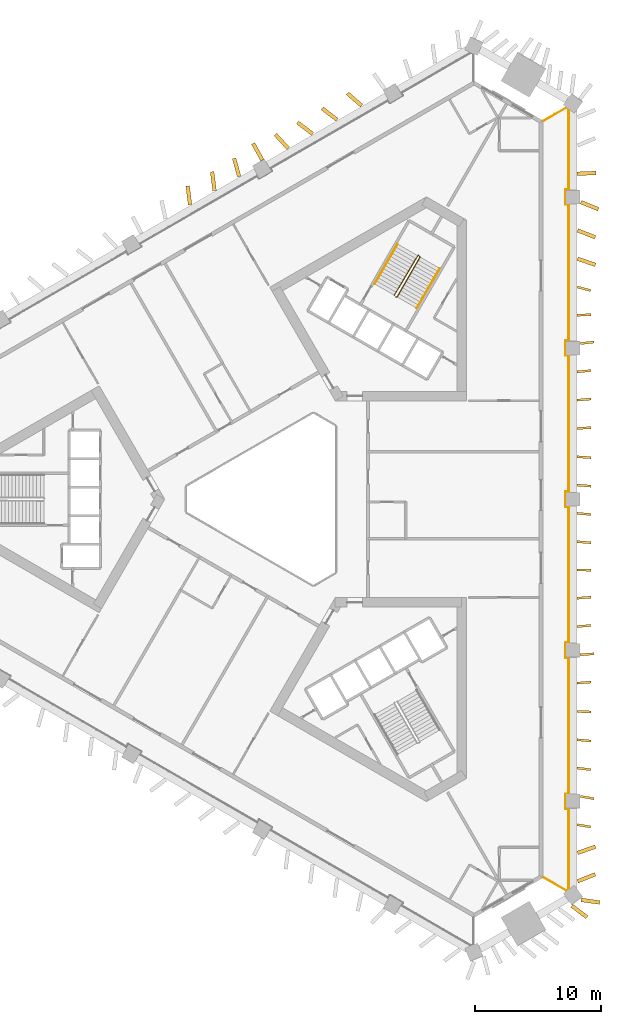
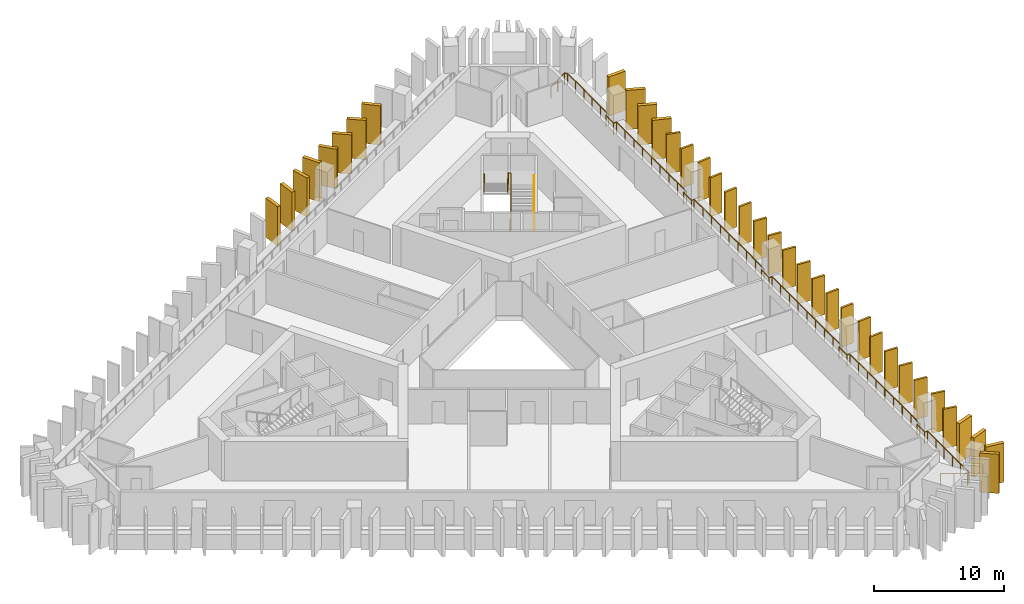
# One storey, part 9 of 10: 36 shading devices, 4 railings.
"""IFC4 building model written with IfcOpenShell, lengths in metres."""

from ifc_helpers import new_model, si_unit, direction, frame, frame_2d, origin, origin_2d, place, context, subcontext, project, spatial, rectangle, circle, extrude, material, layer, layer_set, type_object, element, save


model = new_model("IFC4")

# Units and contexts
model_context = context("Model", 3, precision=1e-05, world=origin(), true_north=direction((0.0, 1.0)))
body_context = subcontext(model_context, "Body", "Model", "MODEL_VIEW")
ifc_project = project(units=[si_unit("LENGTHUNIT", "METRE"), si_unit("AREAUNIT", "SQUARE_METRE"), si_unit("VOLUMEUNIT", "CUBIC_METRE"), si_unit("PLANEANGLEUNIT", "RADIAN"), si_unit("MASSUNIT", "GRAM", prefix="KILO")], contexts=[model_context])

# Site, building, storey
site_placement = place(None, origin())
site = spatial("IfcSite", under=ifc_project, at=site_placement, CompositionType="ELEMENT")
building_placement = place(site_placement, origin())
building = spatial("IfcBuilding", under=site, at=building_placement, Name="Jabali Bay Hotel Tower and Convention Centre", CompositionType="ELEMENT")
storey_placement = place(building_placement, frame((0.0, 0.0, 64.699951171875)))
storey = spatial("IfcBuildingStorey", under=building, at=storey_placement, Name="L14", CompositionType="ELEMENT", Elevation=64.699951171875)

# Railing
ifc_material_1 = material(Name="Glass", Category="glass")
railing_type_1 = type_object("IfcRailingType", Name="Loggia glass guard 1100", PredefinedType="BALUSTRADE", material=ifc_material_1)
railing_1_placement = place(storey_placement, frame((95.99951171875, 109.963134765625, 0.0)))
element("IfcRailing", 1, at=railing_1_placement, inside=storey, type_object=railing_type_1, Name="Loggia glass guard L14", PredefinedType="BALUSTRADE", context=body_context, shape_type="SweptSolid", body=[
    extrude(circle(Radius=0.02490234375, at=origin_2d()), frame((0.0, 0.0, 1.0751953125), z_axis=(0.866027613664, 0.499996172356, 0.0), x_axis=(-0.495718635789, 0.858618627375, 0.13052619222)), (0.0, 0.0, 1.0), 2.1103515625),
    extrude(circle(Radius=0.02490234375, at=origin_2d()), frame((1.82763671875, 1.05517578125, 1.0751953125), z_axis=(0.802448385705, -0.596721533279, 0.0), x_axis=(0.591616497841, 0.795583328525, 0.13052619222)), (0.0, 0.0, 1.0), 0.21484375),
    extrude(circle(Radius=0.02490234375, at=origin_2d()), frame((2.0, 0.927001953125, 1.0751953125), z_axis=(0.0, -1.0, 0.0), x_axis=(0.991444861374, 0.0, 0.13052619222)), (0.0, 0.0, 1.0), 6.35009765625),
    extrude(circle(Radius=0.02490234375, at=origin_2d()), frame((2.0, -5.423095703125, 1.0751953125), z_axis=(-1.0, 0.0, 0.0), x_axis=(0.0, -0.991444861374, 0.13052619222)), (0.0, 0.0, 1.0), 0.25),
    extrude(circle(Radius=0.02490234375, at=origin_2d()), frame((1.75, -5.423095703125, 1.0751953125), z_axis=(0.0, -1.0, 0.0), x_axis=(0.991444861374, 0.0, 0.13052619222)), (0.0, 0.0, 1.0), 1.199951171875),
    extrude(circle(Radius=0.02490234375, at=origin_2d()), frame((1.75, -6.623046875, 1.0751953125), z_axis=(1.0, 0.0, 0.0), x_axis=(0.0, 0.991444861374, 0.13052619222)), (0.0, 0.0, 1.0), 0.25),
    extrude(circle(Radius=0.02490234375, at=origin_2d()), frame((2.0, -6.623046875, 1.0751953125), z_axis=(0.0, -1.0, 0.0), x_axis=(0.991444861374, 0.0, 0.13052619222)), (0.0, 0.0, 1.0), 10.77001953125),
    extrude(circle(Radius=0.02490234375, at=origin_2d()), frame((2.0, -17.39306640625, 1.0751953125), z_axis=(-1.0, 0.0, 0.0), x_axis=(0.0, -0.991444861374, 0.13052619222)), (0.0, 0.0, 1.0), 0.25),
    extrude(circle(Radius=0.02490234375, at=origin_2d()), frame((1.75, -17.39306640625, 1.0751953125), z_axis=(0.0, -1.0, 0.0), x_axis=(0.991444861374, 0.0, 0.13052619222)), (0.0, 0.0, 1.0), 1.2001953125),
    extrude(circle(Radius=0.02490234375, at=origin_2d()), frame((1.75, -18.59326171875, 1.0751953125), z_axis=(1.0, 0.0, 0.0), x_axis=(0.0, 0.991444861374, 0.13052619222)), (0.0, 0.0, 1.0), 0.25),
    extrude(circle(Radius=0.02490234375, at=origin_2d()), frame((2.0, -18.59326171875, 1.0751953125), z_axis=(0.0, -1.0, 0.0), x_axis=(0.991444861374, 0.0, 0.13052619222)), (0.0, 0.0, 1.0), 10.769775390625),
    extrude(circle(Radius=0.02490234375, at=origin_2d()), frame((2.0, -29.363037109375, 1.0751953125), z_axis=(-1.0, 0.0, 0.0), x_axis=(0.0, -0.991444861374, 0.13052619222)), (0.0, 0.0, 1.0), 0.25),
    extrude(circle(Radius=0.02490234375, at=origin_2d()), frame((1.75, -29.363037109375, 1.0751953125), z_axis=(0.0, -1.0, 0.0), x_axis=(0.991444861374, 0.0, 0.13052619222)), (0.0, 0.0, 1.0), 1.2001953125),
    extrude(circle(Radius=0.02490234375, at=origin_2d()), frame((1.75, -30.563232421875, 1.0751953125), z_axis=(1.0, 0.0, 0.0), x_axis=(0.0, 0.991444861374, 0.13052619222)), (0.0, 0.0, 1.0), 0.25),
    extrude(circle(Radius=0.02490234375, at=origin_2d()), frame((2.0, -30.563232421875, 1.0751953125), z_axis=(0.0, -1.0, 0.0), x_axis=(0.991444861374, 0.0, 0.13052619222)), (0.0, 0.0, 1.0), 10.769775390625),
    extrude(circle(Radius=0.02490234375, at=origin_2d()), frame((2.0, -41.3330078125, 1.0751953125), z_axis=(-1.0, 0.0, 0.0), x_axis=(0.0, -0.991444861374, 0.13052619222)), (0.0, 0.0, 1.0), 0.25),
    extrude(circle(Radius=0.02490234375, at=origin_2d()), frame((1.75, -41.3330078125, 1.0751953125), z_axis=(0.0, -1.0, 0.0), x_axis=(0.991444861374, 0.0, 0.13052619222)), (0.0, 0.0, 1.0), 1.2001953125),
    extrude(circle(Radius=0.02490234375, at=origin_2d()), frame((1.75, -42.533203125, 1.0751953125), z_axis=(1.0, 0.0, 0.0), x_axis=(0.0, 0.991444861374, 0.13052619222)), (0.0, 0.0, 1.0), 0.25),
    extrude(circle(Radius=0.02490234375, at=origin_2d()), frame((2.0, -42.533203125, 1.0751953125), z_axis=(0.0, -1.0, 0.0), x_axis=(0.991444861374, 0.0, 0.13052619222)), (0.0, 0.0, 1.0), 10.77001953125),
    extrude(circle(Radius=0.02490234375, at=origin_2d()), frame((2.0, -53.30322265625, 1.0751953125), z_axis=(-1.0, 0.0, 0.0), x_axis=(0.0, -0.991444861374, 0.13052619222)), (0.0, 0.0, 1.0), 0.25),
    extrude(circle(Radius=0.02490234375, at=origin_2d()), frame((1.75, -53.30322265625, 1.0751953125), z_axis=(0.0, -1.0, 0.0), x_axis=(0.991444861374, 0.0, 0.13052619222)), (0.0, 0.0, 1.0), 1.199951171875),
    extrude(circle(Radius=0.02490234375, at=origin_2d()), frame((1.75, -54.503173828125, 1.0751953125), z_axis=(1.0, 0.0, 0.0), x_axis=(0.0, 0.991444861374, 0.13052619222)), (0.0, 0.0, 1.0), 0.25),
    extrude(circle(Radius=0.02490234375, at=origin_2d()), frame((2.0, -54.503173828125, 1.0751953125), z_axis=(0.0, -1.0, 0.0), x_axis=(0.991444861374, 0.0, 0.13052619222)), (0.0, 0.0, 1.0), 6.35009765625),
    extrude(circle(Radius=0.02490234375, at=origin_2d()), frame((2.0, -60.853271484375, 1.0751953125), z_axis=(-0.802448385705, -0.596721533279, 0.0), x_axis=(0.591616497841, -0.795583328525, 0.13052619222)), (0.0, 0.0, 1.0), 0.21484375),
    extrude(circle(Radius=0.02490234375, at=origin_2d()), frame((1.82763671875, -60.9814453125, 1.0751953125), z_axis=(-0.866027613664, 0.499996172356, 0.0), x_axis=(-0.495718635789, -0.858618627375, 0.13052619222)), (0.0, 0.0, 1.0), 2.1103515625),
    extrude(circle(Radius=0.02001953125, at=origin_2d()), origin(), (0.0, 0.0, 1.0), 1.050048828125),
    extrude(circle(Radius=0.02001953125, at=origin_2d()), frame((0.913818359375, 0.527587890625, 0.0)), (0.0, 0.0, 1.0), 1.050048828125),
    extrude(circle(Radius=0.02001953125, at=origin_2d()), frame((1.82763671875, 1.05517578125, 0.0)), (0.0, 0.0, 1.0), 1.050048828125),
    extrude(circle(Radius=0.02001953125, at=origin_2d()), frame((2.0, 0.927001953125, 0.0)), (0.0, 0.0, 1.0), 1.050048828125),
    extrude(circle(Radius=0.02001953125, at=origin_2d()), frame((2.0, -0.343017578125, 0.0)), (0.0, 0.0, 1.0), 1.050048828125),
    extrude(circle(Radius=0.02001953125, at=origin_2d()), frame((2.0, -1.613037109375, 0.0)), (0.0, 0.0, 1.0), 1.050048828125),
    extrude(circle(Radius=0.02001953125, at=origin_2d()), frame((2.0, -2.883056640625, 0.0)), (0.0, 0.0, 1.0), 1.050048828125),
    extrude(circle(Radius=0.02001953125, at=origin_2d()), frame((2.0, -4.153076171875, 0.0)), (0.0, 0.0, 1.0), 1.050048828125),
    extrude(circle(Radius=0.02001953125, at=origin_2d()), frame((2.0, -5.423095703125, 0.0)), (0.0, 0.0, 1.0), 1.050048828125),
    extrude(circle(Radius=0.02001953125, at=origin_2d()), frame((1.75, -5.423095703125, 0.0)), (0.0, 0.0, 1.0), 1.050048828125),
    extrude(circle(Radius=0.02001953125, at=origin_2d()), frame((1.75, -6.623046875, 0.0)), (0.0, 0.0, 1.0), 1.050048828125),
    extrude(circle(Radius=0.02001953125, at=origin_2d()), frame((2.0, -6.623046875, 0.0)), (0.0, 0.0, 1.0), 1.050048828125),
    extrude(circle(Radius=0.02001953125, at=origin_2d()), frame((2.0, -7.96923828125, 0.0)), (0.0, 0.0, 1.0), 1.050048828125),
    extrude(circle(Radius=0.02001953125, at=origin_2d()), frame((2.0, -9.3154296875, 0.0)), (0.0, 0.0, 1.0), 1.050048828125),
    extrude(circle(Radius=0.02001953125, at=origin_2d()), frame((2.0, -10.661865234375, 0.0)), (0.0, 0.0, 1.0), 1.050048828125),
    extrude(circle(Radius=0.02001953125, at=origin_2d()), frame((2.0, -12.008056640625, 0.0)), (0.0, 0.0, 1.0), 1.050048828125),
    extrude(circle(Radius=0.02001953125, at=origin_2d()), frame((2.0, -13.354248046875, 0.0)), (0.0, 0.0, 1.0), 1.050048828125),
    extrude(circle(Radius=0.02001953125, at=origin_2d()), frame((2.0, -14.70068359375, 0.0)), (0.0, 0.0, 1.0), 1.050048828125),
    extrude(circle(Radius=0.02001953125, at=origin_2d()), frame((2.0, -16.046875, 0.0)), (0.0, 0.0, 1.0), 1.050048828125),
    extrude(circle(Radius=0.02001953125, at=origin_2d()), frame((2.0, -17.39306640625, 0.0)), (0.0, 0.0, 1.0), 1.050048828125),
    extrude(circle(Radius=0.02001953125, at=origin_2d()), frame((1.75, -17.39306640625, 0.0)), (0.0, 0.0, 1.0), 1.050048828125),
    extrude(circle(Radius=0.02001953125, at=origin_2d()), frame((1.75, -18.59326171875, 0.0)), (0.0, 0.0, 1.0), 1.050048828125),
    extrude(circle(Radius=0.02001953125, at=origin_2d()), frame((2.0, -18.59326171875, 0.0)), (0.0, 0.0, 1.0), 1.050048828125),
    extrude(circle(Radius=0.02001953125, at=origin_2d()), frame((2.0, -19.939453125, 0.0)), (0.0, 0.0, 1.0), 1.050048828125),
    extrude(circle(Radius=0.02001953125, at=origin_2d()), frame((2.0, -21.28564453125, 0.0)), (0.0, 0.0, 1.0), 1.050048828125),
    extrude(circle(Radius=0.02001953125, at=origin_2d()), frame((2.0, -22.6318359375, 0.0)), (0.0, 0.0, 1.0), 1.050048828125),
    extrude(circle(Radius=0.02001953125, at=origin_2d()), frame((2.0, -23.97802734375, 0.0)), (0.0, 0.0, 1.0), 1.050048828125),
    extrude(circle(Radius=0.02001953125, at=origin_2d()), frame((2.0, -25.324462890625, 0.0)), (0.0, 0.0, 1.0), 1.050048828125),
    extrude(circle(Radius=0.02001953125, at=origin_2d()), frame((2.0, -26.670654296875, 0.0)), (0.0, 0.0, 1.0), 1.050048828125),
    extrude(circle(Radius=0.02001953125, at=origin_2d()), frame((2.0, -28.016845703125, 0.0)), (0.0, 0.0, 1.0), 1.050048828125),
    extrude(circle(Radius=0.02001953125, at=origin_2d()), frame((2.0, -29.363037109375, 0.0)), (0.0, 0.0, 1.0), 1.050048828125),
    extrude(circle(Radius=0.02001953125, at=origin_2d()), frame((1.75, -29.363037109375, 0.0)), (0.0, 0.0, 1.0), 1.050048828125),
    extrude(circle(Radius=0.02001953125, at=origin_2d()), frame((1.75, -30.563232421875, 0.0)), (0.0, 0.0, 1.0), 1.050048828125),
    extrude(circle(Radius=0.02001953125, at=origin_2d()), frame((2.0, -30.563232421875, 0.0)), (0.0, 0.0, 1.0), 1.050048828125),
    extrude(circle(Radius=0.02001953125, at=origin_2d()), frame((2.0, -31.909423828125, 0.0)), (0.0, 0.0, 1.0), 1.050048828125),
    extrude(circle(Radius=0.02001953125, at=origin_2d()), frame((2.0, -33.255615234375, 0.0)), (0.0, 0.0, 1.0), 1.050048828125),
    extrude(circle(Radius=0.02001953125, at=origin_2d()), frame((2.0, -34.601806640625, 0.0)), (0.0, 0.0, 1.0), 1.050048828125),
    extrude(circle(Radius=0.02001953125, at=origin_2d()), frame((2.0, -35.9482421875, 0.0)), (0.0, 0.0, 1.0), 1.050048828125),
    extrude(circle(Radius=0.02001953125, at=origin_2d()), frame((2.0, -37.29443359375, 0.0)), (0.0, 0.0, 1.0), 1.050048828125),
    extrude(circle(Radius=0.02001953125, at=origin_2d()), frame((2.0, -38.640625, 0.0)), (0.0, 0.0, 1.0), 1.050048828125),
    extrude(circle(Radius=0.02001953125, at=origin_2d()), frame((2.0, -39.98681640625, 0.0)), (0.0, 0.0, 1.0), 1.050048828125),
    extrude(circle(Radius=0.02001953125, at=origin_2d()), frame((2.0, -41.3330078125, 0.0)), (0.0, 0.0, 1.0), 1.050048828125),
    extrude(circle(Radius=0.02001953125, at=origin_2d()), frame((1.75, -41.3330078125, 0.0)), (0.0, 0.0, 1.0), 1.050048828125),
    extrude(circle(Radius=0.02001953125, at=origin_2d()), frame((1.75, -42.533203125, 0.0)), (0.0, 0.0, 1.0), 1.050048828125),
    extrude(circle(Radius=0.02001953125, at=origin_2d()), frame((2.0, -42.533203125, 0.0)), (0.0, 0.0, 1.0), 1.050048828125),
    extrude(circle(Radius=0.02001953125, at=origin_2d()), frame((2.0, -43.87939453125, 0.0)), (0.0, 0.0, 1.0), 1.050048828125),
    extrude(circle(Radius=0.02001953125, at=origin_2d()), frame((2.0, -45.2255859375, 0.0)), (0.0, 0.0, 1.0), 1.050048828125),
    extrude(circle(Radius=0.02001953125, at=origin_2d()), frame((2.0, -46.572021484375, 0.0)), (0.0, 0.0, 1.0), 1.050048828125),
    extrude(circle(Radius=0.02001953125, at=origin_2d()), frame((2.0, -47.918212890625, 0.0)), (0.0, 0.0, 1.0), 1.050048828125),
    extrude(circle(Radius=0.02001953125, at=origin_2d()), frame((2.0, -49.264404296875, 0.0)), (0.0, 0.0, 1.0), 1.050048828125),
    extrude(circle(Radius=0.02001953125, at=origin_2d()), frame((2.0, -50.61083984375, 0.0)), (0.0, 0.0, 1.0), 1.050048828125),
    extrude(circle(Radius=0.02001953125, at=origin_2d()), frame((2.0, -51.95703125, 0.0)), (0.0, 0.0, 1.0), 1.050048828125),
    extrude(circle(Radius=0.02001953125, at=origin_2d()), frame((2.0, -53.30322265625, 0.0)), (0.0, 0.0, 1.0), 1.050048828125),
    extrude(circle(Radius=0.02001953125, at=origin_2d()), frame((1.75, -53.30322265625, 0.0)), (0.0, 0.0, 1.0), 1.050048828125),
    extrude(circle(Radius=0.02001953125, at=origin_2d()), frame((1.75, -54.503173828125, 0.0)), (0.0, 0.0, 1.0), 1.050048828125),
    extrude(circle(Radius=0.02001953125, at=origin_2d()), frame((2.0, -54.503173828125, 0.0)), (0.0, 0.0, 1.0), 1.050048828125),
    extrude(circle(Radius=0.02001953125, at=origin_2d()), frame((2.0, -55.773193359375, 0.0)), (0.0, 0.0, 1.0), 1.050048828125),
    extrude(circle(Radius=0.02001953125, at=origin_2d()), frame((2.0, -57.043212890625, 0.0)), (0.0, 0.0, 1.0), 1.050048828125),
    extrude(circle(Radius=0.02001953125, at=origin_2d()), frame((2.0, -58.313232421875, 0.0)), (0.0, 0.0, 1.0), 1.050048828125),
    extrude(circle(Radius=0.02001953125, at=origin_2d()), frame((2.0, -59.583251953125, 0.0)), (0.0, 0.0, 1.0), 1.050048828125),
    extrude(circle(Radius=0.02001953125, at=origin_2d()), frame((2.0, -60.853271484375, 0.0)), (0.0, 0.0, 1.0), 1.050048828125),
    extrude(circle(Radius=0.02001953125, at=origin_2d()), frame((1.82763671875, -60.9814453125, 0.0)), (0.0, 0.0, 1.0), 1.050048828125),
    extrude(circle(Radius=0.02001953125, at=origin_2d()), frame((0.913818359375, -60.453857421875, 0.0)), (0.0, 0.0, 1.0), 1.050048828125),
    extrude(circle(Radius=0.02001953125, at=origin_2d()), frame((0.0, -59.92626953125, 0.0)), (0.0, 0.0, 1.0), 1.050048828125),
])

# Shading devices
ifc_material_2 = material(Name="Precast concrete C60", Category="concrete")
ifc_layer_1 = layer(ifc_material_2, 0.179931640625)
ifc_layer_set_1 = layer_set([ifc_layer_1], Name="Precast concrete C60")
shading_device_type_1 = type_object("IfcShadingDeviceType", Name="Precast fin 3680 x 1100", PredefinedType="USERDEFINED", material=ifc_layer_set_1)
shading_device_1_placement = place(storey_placement, frame((98.65673828125, 54.2255859375, 0.010009765625), z_axis=(0.0, 0.0, 1.0), x_axis=(0.986237532294, -0.165334599811, 0.0)))
element("IfcShadingDevice", 2, at=shading_device_1_placement, inside=storey, type_object=shading_device_type_1, Name="Fin L14 002", ObjectType="FIN", PredefinedType="USERDEFINED", context=body_context, shape_type="SweptSolid", body=[
    extrude(rectangle(XDim=1.10009765625, YDim=0.179931640625, at=frame_2d((0.550048828125, 0.0))), origin(), (0.0, 0.0, 1.0), 3.679931640625),
])
shading_device_2_placement = place(storey_placement, frame((98.91455078125, 56.466796875, 0.010009765625), z_axis=(0.0, 0.0, 1.0), x_axis=(0.985744507475, -0.168249118817, 0.0)))
element("IfcShadingDevice", 3, at=shading_device_2_placement, inside=storey, type_object=shading_device_type_1, Name="Fin L14 003", ObjectType="FIN", PredefinedType="USERDEFINED", context=body_context, shape_type="SweptSolid", body=[
    extrude(rectangle(XDim=1.099853515625, YDim=0.179931640625, at=frame_2d((0.5498046875, 0.0))), origin(), (0.0, 0.0, 1.0), 3.679931640625),
])
shading_device_3_placement = place(storey_placement, frame((98.652099609375, 58.7080078125, 0.010009765625), z_axis=(0.0, 0.0, 1.0), x_axis=(0.993395320982, -0.114742042214, 0.0)))
element("IfcShadingDevice", 4, at=shading_device_3_placement, inside=storey, type_object=shading_device_type_1, Name="Fin L14 004", ObjectType="FIN", PredefinedType="USERDEFINED", context=body_context, shape_type="SweptSolid", body=[
    extrude(rectangle(XDim=1.10009765625, YDim=0.179931640625, at=frame_2d((0.550048828125, 0.0))), origin(), (0.0, 0.0, 1.0), 3.679931640625),
])
shading_device_4_placement = place(storey_placement, frame((98.650146484375, 60.949462890625, 0.010009765625), z_axis=(0.0, 0.0, 1.0), x_axis=(0.995686922916, -0.092776891168, 0.0)))
element("IfcShadingDevice", 5, at=shading_device_4_placement, inside=storey, type_object=shading_device_type_1, Name="Fin L14 005", ObjectType="FIN", PredefinedType="USERDEFINED", context=body_context, shape_type="SweptSolid", body=[
    extrude(rectangle(XDim=1.099853515625, YDim=0.179931640625, at=frame_2d((0.5498046875, 0.0))), origin(), (0.0, 0.0, 1.0), 3.679931640625),
])
for number, where, z_axis, x_axis, name in (
    (6, (98.64501953125, 63.190673828125, 0.010009765625), (0.0, 0.0, 1.0), (0.99936934029, -0.035509459126, 0.0), "Fin L14 006"),
    (7, (98.649169921875, 65.431884765625, 0.010009765625), (0.0, 0.0, 1.0), (0.996677633873, 0.081447493127, 0.0), "Fin L14 007"),
):
    element("IfcShadingDevice", number, at=place(storey_placement, frame(where, z_axis=z_axis, x_axis=x_axis)), inside=storey, type_object=shading_device_type_1, Name=name, ObjectType="FIN", PredefinedType="USERDEFINED", context=body_context, shape_type="SweptSolid", body=[
        extrude(rectangle(XDim=1.10009765625, YDim=0.179931640625, at=frame_2d((0.550048828125, 0.0))), origin(), (0.0, 0.0, 1.0), 3.679931640625),
    ])
shading_device_5_placement = place(storey_placement, frame((98.906494140625, 67.673095703125, 0.010009765625), z_axis=(0.0, 0.0, 1.0), x_axis=(0.99678486003, 0.08012454564, 0.0)))
element("IfcShadingDevice", 8, at=shading_device_5_placement, inside=storey, type_object=shading_device_type_1, Name="Fin L14 008", ObjectType="FIN", PredefinedType="USERDEFINED", context=body_context, shape_type="SweptSolid", body=[
    extrude(rectangle(XDim=1.099853515625, YDim=0.179931640625, at=frame_2d((0.5498046875, 0.0))), origin(), (0.0, 0.0, 1.0), 3.679931640625),
])
for number, where, z_axis, x_axis, name in (
    (9, (98.64892578125, 69.914306640625, 0.010009765625), (0.0, 0.0, 1.0), (0.996821625753, 0.079665842308, 0.0), "Fin L14 009"),
    (10, (98.64892578125, 72.155517578125, 0.010009765625), (0.0, 0.0, 1.0), (0.996839224167, 0.079445334428, 0.0), "Fin L14 010"),
    (11, (98.643310546875, 74.39697265625, 0.010009765625), (0.0, 0.0, 1.0), (0.999865117385, -0.016423977511, 0.0), "Fin L14 011"),
    (12, (98.64892578125, 76.63818359375, 0.010009765625), (0.0, 0.0, 1.0), (0.996839224167, -0.079445334428, 0.0), "Fin L14 012"),
    (13, (98.64892578125, 78.87939453125, 0.010009765625), (0.0, 0.0, 1.0), (0.996839224167, -0.079445334428, 0.0), "Fin L14 013"),
    (14, (98.64892578125, 81.12060546875, 0.010009765625), (0.0, 0.0, 1.0), (0.996821625753, -0.079665842308, 0.0), "Fin L14 014"),
):
    element("IfcShadingDevice", number, at=place(storey_placement, frame(where, z_axis=z_axis, x_axis=x_axis)), inside=storey, type_object=shading_device_type_1, Name=name, ObjectType="FIN", PredefinedType="USERDEFINED", context=body_context, shape_type="SweptSolid", body=[
        extrude(rectangle(XDim=1.10009765625, YDim=0.179931640625, at=frame_2d((0.550048828125, 0.0))), origin(), (0.0, 0.0, 1.0), 3.679931640625),
    ])
shading_device_6_placement = place(storey_placement, frame((98.647705078125, 83.36181640625, 0.010009765625), z_axis=(0.0, 0.0, 1.0), x_axis=(0.997897616982, -0.064810076548, 0.0)))
element("IfcShadingDevice", 15, at=shading_device_6_placement, inside=storey, type_object=shading_device_type_1, Name="Fin L14 015", ObjectType="FIN", PredefinedType="USERDEFINED", context=body_context, shape_type="SweptSolid", body=[
    extrude(rectangle(XDim=1.099853515625, YDim=0.179931640625, at=frame_2d((0.5498046875, 0.0))), origin(), (0.0, 0.0, 1.0), 3.679931640625),
])
for number, where, z_axis, x_axis, name in (
    (16, (98.647216796875, 85.60302734375, 0.010009765625), (0.0, 0.0, 1.0), (0.998203253009, 0.05991882577, 0.0), "Fin L14 016"),
    (17, (98.6494140625, 87.844482421875, 0.010009765625), (0.0, 0.0, 1.0), (0.996456417722, 0.084110686485, 0.0), "Fin L14 017"),
):
    element("IfcShadingDevice", number, at=place(storey_placement, frame(where, z_axis=z_axis, x_axis=x_axis)), inside=storey, type_object=shading_device_type_1, Name=name, ObjectType="FIN", PredefinedType="USERDEFINED", context=body_context, shape_type="SweptSolid", body=[
        extrude(rectangle(XDim=1.10009765625, YDim=0.179931640625, at=frame_2d((0.550048828125, 0.0))), origin(), (0.0, 0.0, 1.0), 3.679931640625),
    ])
shading_device_7_placement = place(storey_placement, frame((98.650146484375, 90.085693359375, 0.010009765625), z_axis=(0.0, 0.0, 1.0), x_axis=(0.995748218083, 0.09211669873, 0.0)))
element("IfcShadingDevice", 18, at=shading_device_7_placement, inside=storey, type_object=shading_device_type_1, Name="Fin L14 018", ObjectType="FIN", PredefinedType="USERDEFINED", context=body_context, shape_type="SweptSolid", body=[
    extrude(rectangle(XDim=1.099853515625, YDim=0.179931640625, at=frame_2d((0.5498046875, 0.0))), origin(), (0.0, 0.0, 1.0), 3.679931640625),
])
shading_device_8_placement = place(storey_placement, frame((98.909423828125, 92.326904296875, 0.010009765625), z_axis=(0.0, 0.0, 1.0), x_axis=(0.99352408639, 0.11362169583, 0.0)))
element("IfcShadingDevice", 19, at=shading_device_8_placement, inside=storey, type_object=shading_device_type_1, Name="Fin L14 019", ObjectType="FIN", PredefinedType="USERDEFINED", context=body_context, shape_type="SweptSolid", body=[
    extrude(rectangle(XDim=1.10009765625, YDim=0.179931640625, at=frame_2d((0.550048828125, 0.0))), origin(), (0.0, 0.0, 1.0), 3.679931640625),
])
shading_device_9_placement = place(storey_placement, frame((98.64599609375, 94.568115234375, 0.010009765625), z_axis=(0.0, 0.0, 1.0), x_axis=(0.99900437653, 0.044612281645, 0.0)))
element("IfcShadingDevice", 20, at=shading_device_9_placement, inside=storey, type_object=shading_device_type_1, Name="Fin L14 020", ObjectType="FIN", PredefinedType="USERDEFINED", context=body_context, shape_type="SweptSolid", body=[
    extrude(rectangle(XDim=1.099853515625, YDim=0.179931640625, at=frame_2d((0.5498046875, 0.0))), origin(), (0.0, 0.0, 1.0), 3.679931640625),
])
shading_device_10_placement = place(storey_placement, frame((98.66455078125, 96.809326171875, 0.010009765625), z_axis=(0.0, 0.0, 1.0), x_axis=(0.967352795108, -0.253433560912, 0.0)))
element("IfcShadingDevice", 21, at=shading_device_10_placement, inside=storey, type_object=shading_device_type_1, Name="Fin L14 021", ObjectType="FIN", PredefinedType="USERDEFINED", context=body_context, shape_type="SweptSolid", body=[
    extrude(rectangle(XDim=1.10009765625, YDim=0.179931640625, at=frame_2d((0.550048828125, 0.0))), origin(), (0.0, 0.0, 1.0), 3.679931640625),
])
ifc_layer_2 = layer(ifc_material_2, 0.300048828125)
ifc_layer_set_2 = layer_set([ifc_layer_2], Name="Precast concrete C60")
shading_device_type_2 = type_object("IfcShadingDeviceType", Name="Precast fin 3680 x 1500", PredefinedType="USERDEFINED", material=ifc_layer_set_2)
shading_device_11_placement = place(storey_placement, frame((98.697021484375, 49.7431640625, 0.010009765625), z_axis=(0.0, 0.0, 1.0), x_axis=(0.929695171813, 0.368329862362, 0.0)))
element("IfcShadingDevice", 22, at=shading_device_11_placement, inside=storey, type_object=shading_device_type_2, Name="Fin L14 000", ObjectType="FIN", PredefinedType="USERDEFINED", context=body_context, shape_type="SweptSolid", body=[
    extrude(rectangle(XDim=1.5, YDim=0.300048828125, at=frame_2d((0.75, 0.0))), origin(), (0.0, 0.0, 1.0), 3.679931640625),
])
shading_device_12_placement = place(storey_placement, frame((98.691650390625, 51.984375, 0.010009765625), z_axis=(0.0, 0.0, 1.0), x_axis=(0.943482152247, 0.331423337125, 0.0)))
element("IfcShadingDevice", 23, at=shading_device_12_placement, inside=storey, type_object=shading_device_type_2, Name="Fin L14 001", ObjectType="FIN", PredefinedType="USERDEFINED", context=body_context, shape_type="SweptSolid", body=[
    extrude(rectangle(XDim=1.499755859375, YDim=0.300048828125, at=frame_2d((0.75, 0.0))), origin(), (0.0, 0.0, 1.0), 3.679931640625),
])
for number, where, z_axis, x_axis, name in (
    (24, (98.69140625, 99.050537109375, 0.010009765625), (0.0, 0.0, 1.0), (0.943619604928, -0.331031782757, 0.0), "Fin L14 022"),
    (25, (98.697021484375, 101.2919921875, 0.010009765625), (0.0, 0.0, 1.0), (0.92988434152, -0.367852023776, 0.0), "Fin L14 023"),
    (26, (98.956298828125, 103.533203125, 0.010009765625), (0.0, 0.0, 1.0), (0.925105591451, -0.379709948074, 0.0), "Fin L14 024"),
    (27, (98.6484375, 105.7744140625, 0.010009765625), (0.0, 0.0, 1.0), (0.999055236816, 0.043458414505, 0.0), "Fin L14 025"),
):
    element("IfcShadingDevice", number, at=place(storey_placement, frame(where, z_axis=z_axis, x_axis=x_axis)), inside=storey, type_object=shading_device_type_2, Name=name, ObjectType="FIN", PredefinedType="USERDEFINED", context=body_context, shape_type="SweptSolid", body=[
        extrude(rectangle(XDim=1.5, YDim=0.300048828125, at=frame_2d((0.75, 0.0))), origin(), (0.0, 0.0, 1.0), 3.679931640625),
    ])
shading_device_13_placement = place(storey_placement, frame((81.59423828125, 111.162353515625, 0.010009765625), z_axis=(0.0, 0.0, 1.0), x_axis=(-0.752506106789, 0.658585271051, 0.0)))
element("IfcShadingDevice", 28, at=shading_device_13_placement, inside=storey, type_object=shading_device_type_2, Name="Fin L14 041", ObjectType="FIN", PredefinedType="USERDEFINED", context=body_context, shape_type="SweptSolid", body=[
    extrude(rectangle(XDim=1.499755859375, YDim=0.300048828125, at=frame_2d((0.75, 0.0))), origin(), (0.0, 0.0, 1.0), 3.679931640625),
])
shading_device_14_placement = place(storey_placement, frame((79.648681640625, 110.0498046875, 0.010009765625), z_axis=(0.0, 0.0, 1.0), x_axis=(-0.794616478363, 0.607111729679, 0.0)))
element("IfcShadingDevice", 29, at=shading_device_14_placement, inside=storey, type_object=shading_device_type_2, Name="Fin L14 042", ObjectType="FIN", PredefinedType="USERDEFINED", context=body_context, shape_type="SweptSolid", body=[
    extrude(rectangle(XDim=1.5, YDim=0.300048828125, at=frame_2d((0.75, 0.0))), origin(), (0.0, 0.0, 1.0), 3.679931640625),
])
shading_device_15_placement = place(storey_placement, frame((77.70751953125, 108.92919921875, 0.010009765625), z_axis=(0.0, 0.0, 1.0), x_axis=(-0.794556474212, 0.6071902579, 0.0)))
element("IfcShadingDevice", 30, at=shading_device_15_placement, inside=storey, type_object=shading_device_type_2, Name="Fin L14 043", ObjectType="FIN", PredefinedType="USERDEFINED", context=body_context, shape_type="SweptSolid", body=[
    extrude(rectangle(XDim=1.499755859375, YDim=0.300048828125, at=frame_2d((0.75, 0.0))), origin(), (0.0, 0.0, 1.0), 3.679931640625),
])
for number, where, z_axis, x_axis, name in (
    (31, (75.77880859375, 107.787353515625, 0.010009765625), (0.0, 0.0, 1.0), (-0.679826587664, 0.733372900171, 0.0), "Fin L14 044"),
    (32, (73.724609375, 106.863037109375, 0.010009765625), (0.0, 0.0, 1.0), (-0.485338885575, 0.874326121163, 0.0), "Fin L14 045"),
    (33, (71.894775390625, 105.5498046875, 0.010009765625), (0.0, 0.0, 1.0), (-0.267920889715, 0.963440915082, 0.0), "Fin L14 046"),
    (34, (69.943603515625, 104.446533203125, 0.010009765625), (0.0, 0.0, 1.0), (-0.128580707026, 0.991699047988, 0.0), "Fin L14 047"),
    (35, (68.002685546875, 103.325927734375, 0.010009765625), (0.0, 0.0, 1.0), (-0.128580707026, 0.991699047988, 0.0), "Fin L14 048"),
    (36, (98.240234375, 47.8046875, 0.010009765625), (0.0, 0.0, 1.0), (0.794477939917, -0.607293012462, 0.0), "Fin L14 110"),
    (37, (98.96875, 48.264892578125, 0.010009765625), (0.0, 0.0, 1.0), (0.990473164615, -0.13770588287, 0.0), "Fin L14 111"),
):
    element("IfcShadingDevice", number, at=place(storey_placement, frame(where, z_axis=z_axis, x_axis=x_axis)), inside=storey, type_object=shading_device_type_2, Name=name, ObjectType="FIN", PredefinedType="USERDEFINED", context=body_context, shape_type="SweptSolid", body=[
        extrude(rectangle(XDim=1.5, YDim=0.300048828125, at=frame_2d((0.75, 0.0))), origin(), (0.0, 0.0, 1.0), 3.679931640625),
    ])

# Railings
ifc_material_3 = material(Name="Steel Q355B", Category="steel")
railing_type_2 = type_object("IfcRailingType", Name="Stair guard 1100", PredefinedType="GUARDRAIL", material=ifc_material_3)
railing_2_placement = place(storey_placement, frame((84.329833984375, 96.010009765625, 0.0)))
element("IfcRailing", 38, at=railing_2_placement, inside=storey, type_object=railing_type_2, Name="L14 ST2 stair guard 1", PredefinedType="GUARDRAIL", context=body_context, shape_type="SweptSolid", body=[
    extrude(circle(Radius=0.02392578125, at=origin_2d()), frame((0.0, 0.0, 1.076171875), z_axis=(0.456201556387, 0.122196845461, 0.881446578591), x_axis=(-0.258736085224, 0.965948051503, 0.0)), (0.0, 0.0, 1.0), 0.14990234375),
    extrude(circle(Radius=0.02392578125, at=origin_2d()), frame((0.068359375, 0.018310546875, 1.2080078125), z_axis=(0.45217862506, 0.783169739339, 0.426825081763), x_axis=(-0.866018046521, 0.500012742938, 0.0)), (0.0, 0.0, 1.0), 4.025146484375),
    extrude(circle(Radius=0.02392578125, at=origin_2d()), frame((1.888427734375, 3.170654296875, 2.92626953125), z_axis=(-0.718850276695, 0.695164929852, 0.0), x_axis=(-0.695164929852, -0.718850276695, 0.0)), (0.0, 0.0, 1.0), 0.2060546875),
    extrude(circle(Radius=0.02392578125, at=origin_2d()), frame((1.740234375, 3.31396484375, 2.92626953125), z_axis=(-0.457457462341, -0.768067235091, 0.448113147015), x_axis=(0.859157857954, -0.511710636118, 0.0)), (0.0, 0.0, 1.0), 4.128173828125),
    extrude(circle(Radius=0.02099609375, at=origin_2d()), origin(), (0.0, 0.0, 1.0), 1.052001953125),
    extrude(circle(Radius=0.02099609375, at=origin_2d()), frame((0.068359375, 0.018310546875, 0.132080078125)), (0.0, 0.0, 1.0), 1.052001953125),
    extrude(circle(Radius=0.02099609375, at=origin_2d()), frame((0.5234375, 0.806396484375, 0.5615234375)), (0.0, 0.0, 1.0), 1.052001953125),
    extrude(circle(Radius=0.02099609375, at=origin_2d()), frame((0.978515625, 1.594482421875, 0.9912109375)), (0.0, 0.0, 1.0), 1.052001953125),
    extrude(circle(Radius=0.02099609375, at=origin_2d()), frame((1.433349609375, 2.382568359375, 1.420654296875)), (0.0, 0.0, 1.0), 1.052001953125),
    extrude(circle(Radius=0.02099609375, at=origin_2d()), frame((1.888427734375, 3.170654296875, 1.85009765625)), (0.0, 0.0, 1.0), 1.052001953125),
    extrude(circle(Radius=0.02099609375, at=origin_2d()), frame((1.740234375, 3.31396484375, 1.85009765625)), (0.0, 0.0, 1.0), 1.052001953125),
    extrude(circle(Radius=0.02099609375, at=origin_2d()), frame((1.26806640625, 2.521240234375, 2.3125)), (0.0, 0.0, 1.0), 1.052001953125),
    extrude(circle(Radius=0.02099609375, at=origin_2d()), frame((0.7958984375, 1.728515625, 2.77490234375)), (0.0, 0.0, 1.0), 1.052001953125),
    extrude(circle(Radius=0.02099609375, at=origin_2d()), frame((0.323974609375, 0.93603515625, 3.237548828125)), (0.0, 0.0, 1.0), 1.052001953125),
    extrude(circle(Radius=0.02099609375, at=origin_2d()), frame((-0.148193359375, 0.143310546875, 3.699951171875)), (0.0, 0.0, 1.0), 1.052001953125),
])
railing_type_3 = type_object("IfcRailingType", Name="Stair handrail 900", PredefinedType="HANDRAIL", material=ifc_material_3)
railing_3_placement = place(storey_placement, frame((85.95703125, 95.128173828125, 0.132080078125)))
element("IfcRailing", 39, at=railing_3_placement, inside=storey, type_object=railing_type_3, Name="L14 ST2 stair handrail 1", PredefinedType="HANDRAIL", context=body_context, shape_type="SweptSolid", body=[
    extrude(circle(Radius=0.02392578125, at=origin_2d()), frame((0.0, 0.0, 0.8759765625), z_axis=(0.45217862506, 0.783169739339, 0.426825081763), x_axis=(-0.866018046521, 0.500012742938, 0.0)), (0.0, 0.0, 1.0), 4.025146484375),
    extrude(circle(Radius=0.02099609375, at=origin_2d()), origin(), (0.0, 0.0, 1.0), 0.851806640625),
    extrude(circle(Radius=0.02099609375, at=origin_2d()), frame((0.455078125, 0.7880859375, 0.429443359375)), (0.0, 0.0, 1.0), 0.851806640625),
    extrude(circle(Radius=0.02099609375, at=origin_2d()), frame((0.91015625, 1.576171875, 0.85888671875)), (0.0, 0.0, 1.0), 0.851806640625),
    extrude(circle(Radius=0.02099609375, at=origin_2d()), frame((1.364990234375, 2.3642578125, 1.28857421875)), (0.0, 0.0, 1.0), 0.851806640625),
    extrude(circle(Radius=0.02099609375, at=origin_2d()), frame((1.820068359375, 3.15234375, 1.718017578125)), (0.0, 0.0, 1.0), 0.851806640625),
])
railing_4_placement = place(storey_placement, frame((84.44287109375, 100.20556640625, 1.982177734375)))
element("IfcRailing", 40, at=railing_4_placement, inside=storey, type_object=railing_type_3, Name="L14 ST2 stair handrail 2", PredefinedType="HANDRAIL", context=body_context, shape_type="SweptSolid", body=[
    extrude(circle(Radius=0.02392578125, at=origin_2d()), frame((0.0, 0.0, 0.8759765625), z_axis=(-0.452190331055, -0.783190014029, 0.426775475427), x_axis=(0.866018046521, -0.500012742938, 0.0)), (0.0, 0.0, 1.0), 4.02490234375),
    extrude(circle(Radius=0.02099609375, at=origin_2d()), origin(), (0.0, 0.0, 1.0), 0.851806640625),
    extrude(circle(Radius=0.02099609375, at=origin_2d()), frame((-0.455078125, -0.7880859375, 0.429443359375)), (0.0, 0.0, 1.0), 0.851806640625),
    extrude(circle(Radius=0.02099609375, at=origin_2d()), frame((-0.91015625, -1.576171875, 0.85888671875)), (0.0, 0.0, 1.0), 0.851806640625),
    extrude(circle(Radius=0.02099609375, at=origin_2d()), frame((-1.364990234375, -2.3642578125, 1.288330078125)), (0.0, 0.0, 1.0), 0.851806640625),
    extrude(circle(Radius=0.02099609375, at=origin_2d()), frame((-1.820068359375, -3.15234375, 1.7177734375)), (0.0, 0.0, 1.0), 0.851806640625),
])

save(model, "model.ifc")
